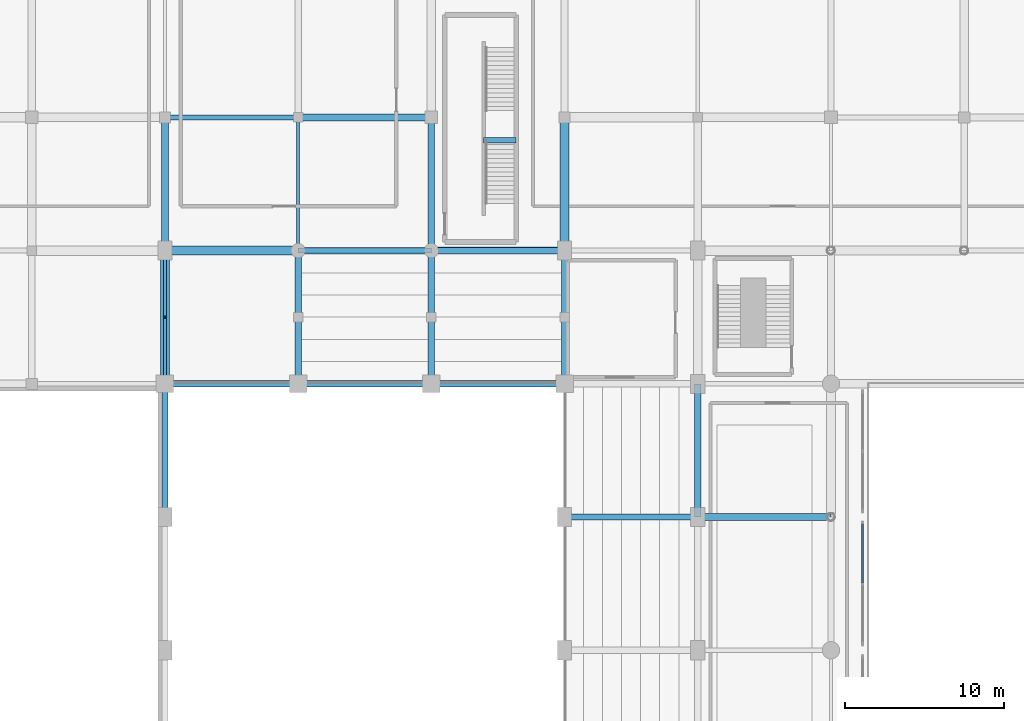
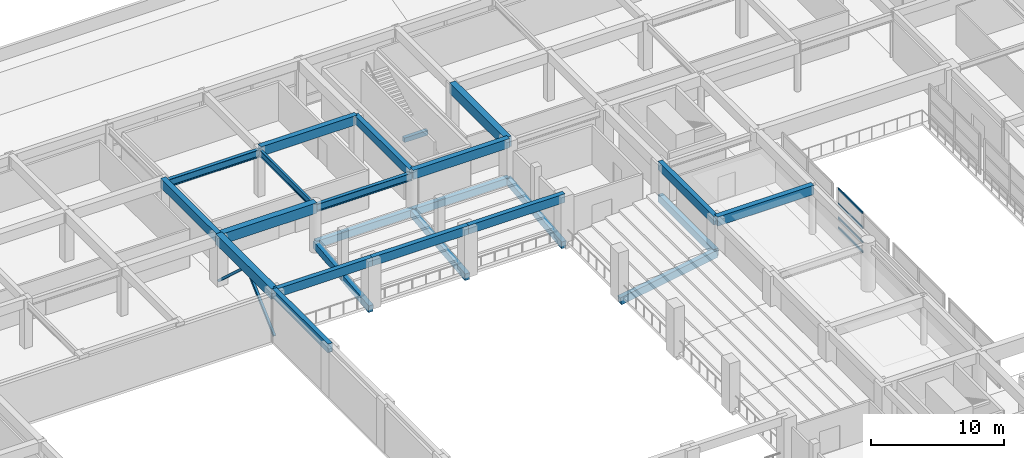
# One storey, part 24 of 60: 27 beams, 6 members, 1 element without a shape of its own.
"""IFC4 building model written with IfcOpenShell, lengths in metres."""

from ifc_helpers import new_model, si_unit, direction, frame, origin, origin_2d, place, context, subcontext, project, spatial, rectangle, hollow_rectangle, i_section, extrude, material, material_profile, profile_set, type_object, element, aggregate, save


model = new_model("IFC4")

# Units and contexts
model_context = context("Model", 3, precision=1e-05, world=origin(), true_north=direction((0.0, 1.0)))
body_context = subcontext(model_context, "Body", "Model", "MODEL_VIEW")
ifc_project = project(units=[si_unit("LENGTHUNIT", "METRE"), si_unit("AREAUNIT", "SQUARE_METRE"), si_unit("VOLUMEUNIT", "CUBIC_METRE"), si_unit("PLANEANGLEUNIT", "RADIAN"), si_unit("MASSUNIT", "GRAM", prefix="KILO")], contexts=[model_context])

# Site, building, storey
site_placement = place(None, origin())
site = spatial("IfcSite", under=ifc_project, at=site_placement, CompositionType="ELEMENT")
building_placement = place(site_placement, origin())
building = spatial("IfcBuilding", under=site, at=building_placement, Name="Xuanlan Plaza Opera House", CompositionType="ELEMENT")
storey_placement = place(building_placement, frame((0.0, 0.0, 9.89990234375)))
storey = spatial("IfcBuildingStorey", under=building, at=storey_placement, Name="L02", CompositionType="ELEMENT", Elevation=9.89990234375)

# Curtain wall, members
ifc_material_1 = material(Name="Anodised Aluminium 6063-T6 and Low-E Glass", Category="aluminium")
curtain_wall_type = type_object("IfcCurtainWallType", Name="ENV-CW-CW-06", PredefinedType="USERDEFINED", material=ifc_material_1)
curtain_wall_placement = place(storey_placement, origin())
curtain_wall = element("IfcCurtainWall", 1, at=curtain_wall_placement, inside=storey, type_object=curtain_wall_type, Name="Acoustic Glazed Wall ATR-L02-13", ObjectType="ACOUSTIC GLAZED WALL", PredefinedType="USERDEFINED")
ifc_material_2 = material(Name="Anodised Aluminium 6063-T6", Category="aluminium")
ifc_material_profile_1 = material_profile(ifc_material_2, rectangle(XDim=0.090087890625, YDim=0.179931640625, at=origin_2d()), Name="ALU-T 90x180")
ifc_profile_set_1 = profile_set([ifc_material_profile_1], Name="Anodised Aluminium 6063-T6")
member_type_1 = type_object("IfcMemberType", Name="ENV-CWT-05", PredefinedType="USERDEFINED", material=ifc_profile_set_1)
member_1_placement = place(storey_placement, frame((111.199951171875, 63.044921875, 0.045166015625), z_axis=(0.0, 1.0, 0.0), x_axis=(-1.0, 0.0, 0.0)))
member_1 = element("IfcMember", 2, at=member_1_placement, type_object=member_type_1, Name="CW-06 transom 2.1", ObjectType="TRANSOM", PredefinedType="USERDEFINED", context=body_context, shape_type="SweptSolid", body=[
    extrude(rectangle(XDim=0.090087890625, YDim=0.179931640625, at=origin_2d()), origin(), (0.0, 0.0, 1.0), 3.715087890625),
])
member_2_placement = place(storey_placement, frame((111.199951171875, 63.044921875, 0.9501953125), z_axis=(0.0, 1.0, 0.0), x_axis=(-1.0, 0.0, 0.0)))
member_2 = element("IfcMember", 3, at=member_2_placement, type_object=member_type_1, Name="CW-06 transom 2.2", ObjectType="TRANSOM", PredefinedType="USERDEFINED", context=body_context, shape_type="SweptSolid", body=[
    extrude(rectangle(XDim=0.090087890625, YDim=0.179931640625, at=origin_2d()), origin(), (0.0, 0.0, 1.0), 3.715087890625),
])
member_3_placement = place(storey_placement, frame((111.199951171875, 63.044921875, 2.25), z_axis=(0.0, 1.0, 0.0), x_axis=(-1.0, 0.0, 0.0)))
member_3 = element("IfcMember", 4, at=member_3_placement, type_object=member_type_1, Name="CW-06 transom 2.3", ObjectType="TRANSOM", PredefinedType="USERDEFINED", context=body_context, shape_type="SweptSolid", body=[
    extrude(rectangle(XDim=0.090087890625, YDim=0.179931640625, at=origin_2d()), origin(), (0.0, 0.0, 1.0), 3.715087890625),
])
member_4_placement = place(storey_placement, frame((111.199951171875, 63.044921875, 3.635009765625), z_axis=(0.0, 1.0, 0.0), x_axis=(-1.0, 0.0, 0.0)))
member_4 = element("IfcMember", 5, at=member_4_placement, type_object=member_type_1, Name="CW-06 transom 2.4", ObjectType="TRANSOM", PredefinedType="USERDEFINED", context=body_context, shape_type="SweptSolid", body=[
    extrude(rectangle(XDim=0.090087890625, YDim=0.179931640625, at=origin_2d()), origin(), (0.0, 0.0, 1.0), 3.715087890625),
])
aggregate(curtain_wall, [member_1, member_2, member_3, member_4])

# Beams
ifc_material_3 = material(Name="Concrete C50", Category="concrete")
ifc_material_profile_2 = material_profile(ifc_material_3, rectangle(XDim=0.550048828125, YDim=0.949951171875, at=origin_2d()), Name="RC-BM 550x950")
ifc_profile_set_2 = profile_set([ifc_material_profile_2], Name="Concrete C50")
beam_type_1 = type_object("IfcBeamType", Name="STR-BM-B-02", PredefinedType="BEAM", material=ifc_profile_set_2)
beam_1_placement = place(storey_placement, frame((67.199951171875, 84.0, 4.025146484375), z_axis=(1.0, 0.0, 0.0), x_axis=(0.0, 1.0, 0.0)))
element("IfcBeam", 6, at=beam_1_placement, inside=storey, type_object=beam_type_1, Name="Grid Beam X L02 9-10/K", PredefinedType="BEAM", context=body_context, shape_type="SweptSolid", body=[
    extrude(rectangle(XDim=0.550048828125, YDim=0.949951171875, at=origin_2d()), origin(), (0.0, 0.0, 1.0), 8.400146484375),
])
for number, where, z_axis, x_axis, name in (
    (7, (67.199951171875, 75.60009765625, 4.025146484375), (0.0, 1.0, 0.0), (-1.0, 0.0, 0.0), "Grid Beam Y L02 9/J-K"),
    (8, (92.39990234375, 84.0, 4.025146484375), (0.0, 1.0, 0.0), (-1.0, 0.0, 0.0), "Grid Beam Y L02 12/K-L"),
):
    element("IfcBeam", number, at=place(storey_placement, frame(where, z_axis=z_axis, x_axis=x_axis)), inside=storey, type_object=beam_type_1, Name=name, PredefinedType="BEAM", context=body_context, shape_type="SweptSolid", body=[
        extrude(rectangle(XDim=0.550048828125, YDim=0.949951171875, at=origin_2d()), origin(), (0.0, 0.0, 1.0), 8.39990234375),
    ])
ifc_material_4 = material(Name="Concrete C40", Category="concrete")
ifc_material_profile_3 = material_profile(ifc_material_4, rectangle(XDim=0.449951171875, YDim=0.85009765625, at=origin_2d()), Name="RC-BM 450x850")
ifc_profile_set_3 = profile_set([ifc_material_profile_3], Name="Concrete C40")
beam_type_2 = type_object("IfcBeamType", Name="STR-BM-B-04", PredefinedType="BEAM", material=ifc_profile_set_3)
for number, where, z_axis, x_axis, name in (
    (9, (100.800048828125, 67.199951171875, 4.0751953125), (1.0, 0.0, 0.0), (0.0, 1.0, 0.0), "Grid Beam X L02 13-14/I"),
    (10, (84.0, 84.0, 4.0751953125), (1.0, 0.0, 0.0), (0.0, 1.0, 0.0), "Grid Beam X L02 11-12/K"),
    (11, (75.60009765625, 92.39990234375, 4.0751953125), (1.0, 0.0, 0.0), (0.0, 1.0, 0.0), "Grid Beam X L02 10-11/L"),
    (12, (67.199951171875, 84.0, 4.0751953125), (0.0, 1.0, 0.0), (-1.0, 0.0, 0.0), "Grid Beam Y L02 9/K-L"),
):
    element("IfcBeam", number, at=place(storey_placement, frame(where, z_axis=z_axis, x_axis=x_axis)), inside=storey, type_object=beam_type_2, Name=name, PredefinedType="BEAM", context=body_context, shape_type="SweptSolid", body=[
        extrude(rectangle(XDim=0.449951171875, YDim=0.85009765625, at=origin_2d()), origin(), (0.0, 0.0, 1.0), 8.39990234375),
    ])
ifc_material_profile_4 = material_profile(ifc_material_4, rectangle(XDim=0.39990234375, YDim=0.75, at=origin_2d()), Name="RC-BM 400x750")
ifc_profile_set_4 = profile_set([ifc_material_profile_4], Name="Concrete C40")
beam_type_3 = type_object("IfcBeamType", Name="STR-BM-B-06", PredefinedType="BEAM", material=ifc_profile_set_4)
beam_2_placement = place(storey_placement, frame((84.0, 84.0, 4.125), z_axis=(0.0, 1.0, 0.0), x_axis=(-1.0, 0.0, 0.0)))
element("IfcBeam", 13, at=beam_2_placement, inside=storey, type_object=beam_type_3, Name="Grid Beam Y L02 11/K-L", PredefinedType="BEAM", context=body_context, shape_type="SweptSolid", body=[
    extrude(rectangle(XDim=0.39990234375, YDim=0.75, at=origin_2d()), origin(), (0.0, 0.0, 1.0), 8.39990234375),
])
ifc_material_profile_5 = material_profile(ifc_material_4, rectangle(XDim=0.320068359375, YDim=0.419921875, at=origin_2d()), Name="RC-LNT 320x420")
ifc_profile_set_5 = profile_set([ifc_material_profile_5], Name="Concrete C40")
beam_type_4 = type_object("IfcBeamType", Name="STR-BM-LN-04", PredefinedType="LINTEL", material=ifc_profile_set_5)
beam_3_placement = place(storey_placement, frame((87.300048828125, 90.9599609375, 1.840087890625), z_axis=(1.0, 0.0, 0.0), x_axis=(0.0, 1.0, 0.0)))
element("IfcBeam", 14, at=beam_3_placement, inside=storey, type_object=beam_type_4, Name="Stair Mid-Landing Trimmer Beam ST-P4 L02", PredefinedType="LINTEL", context=body_context, shape_type="SweptSolid", body=[
    extrude(rectangle(XDim=0.320068359375, YDim=0.419921875, at=origin_2d()), origin(), (0.0, 0.0, 1.0), 2.050048828125),
])
ifc_material_profile_6 = material_profile(ifc_material_4, rectangle(XDim=0.39990234375, YDim=0.679931640625, at=origin_2d()), Name="RC-RKR 400x680")
ifc_profile_set_6 = profile_set([ifc_material_profile_6], Name="Concrete C40")
beam_type_5 = type_object("IfcBeamType", Name="STR-BM-RK-02", PredefinedType="BEAM", material=ifc_profile_set_6)
beam_4_placement = place(storey_placement, frame((92.39990234375, 67.199951171875, -0.33984375), z_axis=(0.985623890385, 0.0, 0.168954273999), x_axis=(0.0, 1.0, 0.0)))
element("IfcBeam", 15, at=beam_4_placement, inside=storey, type_object=beam_type_5, Name="Auditorium Tier Raker Beam L02 Y67", PredefinedType="BEAM", context=body_context, shape_type="SweptSolid", body=[
    extrude(rectangle(XDim=0.39990234375, YDim=0.679931640625, at=origin_2d()), origin(), (0.0, 0.0, 1.0), 8.522705078125),
])
ifc_material_profile_7 = material_profile(ifc_material_4, rectangle(XDim=0.39990234375, YDim=0.659912109375, at=origin_2d()), Name="RC-RKR 400x660")
ifc_profile_set_7 = profile_set([ifc_material_profile_7], Name="Concrete C40")
beam_type_6 = type_object("IfcBeamType", Name="STR-BM-RK-03", PredefinedType="BEAM", material=ifc_profile_set_7)
for number, where, z_axis, x_axis, name in (
    (16, (75.60009765625, 84.0, 0.570068359375), (1.0, 0.0, 0.0), (0.0, 1.0, 0.0), "Side Vineyard Tier Header Beam L02 North 1"),
    (17, (84.0, 84.0, 0.570068359375), (1.0, 0.0, 0.0), (0.0, 1.0, 0.0), "Side Vineyard Tier Header Beam L02 North 2"),
):
    element("IfcBeam", number, at=place(storey_placement, frame(where, z_axis=z_axis, x_axis=x_axis)), inside=storey, type_object=beam_type_6, Name=name, PredefinedType="BEAM", context=body_context, shape_type="SweptSolid", body=[
        extrude(rectangle(XDim=0.39990234375, YDim=0.659912109375, at=origin_2d()), origin(), (0.0, 0.0, 1.0), 8.39990234375),
    ])
ifc_material_profile_8 = material_profile(ifc_material_4, rectangle(XDim=0.39990234375, YDim=0.659912109375, at=origin_2d()), Name="RC-RKR 400x660")
ifc_profile_set_8 = profile_set([ifc_material_profile_8], Name="Concrete C40")
beam_type_7 = type_object("IfcBeamType", Name="STR-BM-RK-04", PredefinedType="BEAM", material=ifc_profile_set_8)
for number, where, z_axis, x_axis, name in (
    (18, (75.60009765625, 75.60009765625, -0.329833984375), (0.0, 0.994310247159, 0.106522919579), (-1.0, 0.0, 0.0), "Side Vineyard Tier Raker L02 North X75A"),
    (19, (75.60009765625, 79.800048828125, 0.1201171875), (0.0, 0.994310247159, 0.106522919579), (-1.0, 0.0, 0.0), "Side Vineyard Tier Raker L02 North X75B"),
    (20, (84.0, 75.60009765625, -0.329833984375), (0.0, 0.994310247159, 0.106522919579), (-1.0, 0.0, 0.0), "Side Vineyard Tier Raker L02 North X84A"),
    (21, (84.0, 79.800048828125, 0.1201171875), (0.0, 0.994310247159, 0.106522919579), (-1.0, 0.0, 0.0), "Side Vineyard Tier Raker L02 North X84B"),
    (22, (92.39990234375, 75.60009765625, -0.329833984375), (0.0, 0.994310247159, 0.106522919579), (-1.0, 0.0, 0.0), "Side Vineyard Tier Raker L02 North X92A"),
    (23, (92.39990234375, 79.800048828125, 0.1201171875), (0.0, 0.994310247159, 0.106522919579), (-1.0, 0.0, 0.0), "Side Vineyard Tier Raker L02 North X92B"),
):
    element("IfcBeam", number, at=place(storey_placement, frame(where, z_axis=z_axis, x_axis=x_axis)), inside=storey, type_object=beam_type_7, Name=name, PredefinedType="BEAM", context=body_context, shape_type="SweptSolid", body=[
        extrude(rectangle(XDim=0.39990234375, YDim=0.659912109375, at=origin_2d()), origin(), (0.0, 0.0, 1.0), 4.223876953125),
    ])
ifc_material_profile_9 = material_profile(ifc_material_4, rectangle(XDim=0.39990234375, YDim=0.679931640625, at=origin_2d()), Name="RC-RKR 400x680")
ifc_profile_set_9 = profile_set([ifc_material_profile_9], Name="Concrete C40")
beam_type_8 = type_object("IfcBeamType", Name="STR-BM-RKH-02", PredefinedType="BEAM", material=ifc_profile_set_9)
beam_5_placement = place(storey_placement, frame((100.800048828125, 67.199951171875, 1.10009765625), z_axis=(0.0, 1.0, 0.0), x_axis=(-1.0, 0.0, 0.0)))
element("IfcBeam", 24, at=beam_5_placement, inside=storey, type_object=beam_type_8, Name="Auditorium Tier Header Beam L02-4", PredefinedType="BEAM", context=body_context, shape_type="SweptSolid", body=[
    extrude(rectangle(XDim=0.39990234375, YDim=0.679931640625, at=origin_2d()), origin(), (0.0, 0.0, 1.0), 8.400146484375),
])
ifc_material_5 = material(Name="Steel Q355B", Category="steel")
ifc_material_profile_10 = material_profile(ifc_material_5, i_section(OverallWidth=0.300048828125, OverallDepth=0.699951171875, WebThickness=0.012939453125, FlangeThickness=0.02392578125, FilletRadius=0.02392578125, at=origin_2d()), Name="HN 700x300x13x24")
ifc_profile_set_10 = profile_set([ifc_material_profile_10], Name="Steel Q355B")
beam_type_9 = type_object("IfcBeamType", Name="STR-BM-SB-03", PredefinedType="BEAM", material=ifc_profile_set_10)
beam_6_placement = place(storey_placement, frame((75.60009765625, 84.0, 3.885009765625), z_axis=(1.0, 0.0, 0.0), x_axis=(0.0, 1.0, 0.0)))
element("IfcBeam", 25, at=beam_6_placement, inside=storey, type_object=beam_type_9, Name="Grid Beam X L02 10-11/K", PredefinedType="BEAM", context=body_context, shape_type="SweptSolid", body=[
    extrude(i_section(OverallWidth=0.300048828125, OverallDepth=0.699951171875, WebThickness=0.012939453125, FlangeThickness=0.02392578125, FilletRadius=0.02392578125, at=origin_2d()), origin(), (0.0, 0.0, 1.0), 8.39990234375),
])
beam_7_placement = place(storey_placement, frame((67.199951171875, 92.39990234375, 3.885009765625), z_axis=(1.0, 0.0, 0.0), x_axis=(0.0, 1.0, 0.0)))
element("IfcBeam", 26, at=beam_7_placement, inside=storey, type_object=beam_type_9, Name="Grid Beam X L02 9-10/L", PredefinedType="BEAM", context=body_context, shape_type="SweptSolid", body=[
    extrude(i_section(OverallWidth=0.300048828125, OverallDepth=0.699951171875, WebThickness=0.012939453125, FlangeThickness=0.02392578125, FilletRadius=0.02392578125, at=origin_2d()), origin(), (0.0, 0.0, 1.0), 8.400146484375),
])
ifc_material_profile_11 = material_profile(ifc_material_5, i_section(OverallWidth=0.199951171875, OverallDepth=0.60009765625, WebThickness=0.010986328125, FlangeThickness=0.01708984375, FilletRadius=0.02197265625, at=origin_2d()), Name="HN 600x200x11x17")
ifc_profile_set_11 = profile_set([ifc_material_profile_11], Name="Steel Q355B")
beam_type_10 = type_object("IfcBeamType", Name="STR-BM-SB-04", PredefinedType="BEAM", material=ifc_profile_set_11)
beam_8_placement = place(storey_placement, frame((75.60009765625, 84.0, 3.93505859375), z_axis=(0.0, 1.0, 0.0), x_axis=(-1.0, 0.0, 0.0)))
element("IfcBeam", 27, at=beam_8_placement, inside=storey, type_object=beam_type_10, Name="Grid Beam Y L02 10/K-L", PredefinedType="BEAM", context=body_context, shape_type="SweptSolid", body=[
    extrude(i_section(OverallWidth=0.199951171875, OverallDepth=0.60009765625, WebThickness=0.010986328125, FlangeThickness=0.01708984375, FilletRadius=0.02197265625, at=origin_2d()), origin(), (0.0, 0.0, 1.0), 8.39990234375),
])
ifc_material_profile_12 = material_profile(ifc_material_4, rectangle(XDim=0.39990234375, YDim=0.800048828125, at=origin_2d()), Name="RC-SPD 400x800")
ifc_profile_set_12 = profile_set([ifc_material_profile_12], Name="Concrete C40")
beam_type_11 = type_object("IfcBeamType", Name="STR-BM-SP-01", PredefinedType="SPANDREL", material=ifc_profile_set_12)
beam_9_placement = place(storey_placement, frame((67.199951171875, 75.60009765625, 4.10009765625), z_axis=(1.0, 0.0, 0.0), x_axis=(0.0, 1.0, 0.0)))
element("IfcBeam", 28, at=beam_9_placement, inside=storey, type_object=beam_type_11, Name="Grid Beam X L02 9-10/J", PredefinedType="SPANDREL", context=body_context, shape_type="SweptSolid", body=[
    extrude(rectangle(XDim=0.39990234375, YDim=0.800048828125, at=origin_2d()), origin(), (0.0, 0.0, 1.0), 8.400146484375),
])
for number, where, z_axis, x_axis, name in (
    (29, (75.60009765625, 75.60009765625, 4.10009765625), (1.0, 0.0, 0.0), (0.0, 1.0, 0.0), "Grid Beam X L02 10-11/J"),
    (30, (84.0, 75.60009765625, 4.10009765625), (1.0, 0.0, 0.0), (0.0, 1.0, 0.0), "Grid Beam X L02 11-12/J"),
):
    element("IfcBeam", number, at=place(storey_placement, frame(where, z_axis=z_axis, x_axis=x_axis)), inside=storey, type_object=beam_type_11, Name=name, PredefinedType="SPANDREL", context=body_context, shape_type="SweptSolid", body=[
        extrude(rectangle(XDim=0.39990234375, YDim=0.800048828125, at=origin_2d()), origin(), (0.0, 0.0, 1.0), 8.39990234375),
    ])
for number, where, z_axis, x_axis, name in (
    (31, (67.199951171875, 67.199951171875, 4.10009765625), (0.0, 1.0, 0.0), (-1.0, 0.0, 0.0), "Grid Beam Y L02 9/I-J"),
    (32, (100.800048828125, 67.199951171875, 4.10009765625), (0.0, 1.0, 0.0), (-1.0, 0.0, 0.0), "Grid Beam Y L02 13/I-J"),
):
    element("IfcBeam", number, at=place(storey_placement, frame(where, z_axis=z_axis, x_axis=x_axis)), inside=storey, type_object=beam_type_11, Name=name, PredefinedType="SPANDREL", context=body_context, shape_type="SweptSolid", body=[
        extrude(rectangle(XDim=0.39990234375, YDim=0.800048828125, at=origin_2d()), origin(), (0.0, 0.0, 1.0), 8.400146484375),
    ])

# Members
ifc_material_profile_13 = material_profile(ifc_material_5, hollow_rectangle(XDim=0.199951171875, YDim=0.199951171875, WallThickness=0.010009765625, at=origin_2d()), Name="SHS 200x200x10")
ifc_profile_set_13 = profile_set([ifc_material_profile_13], Name="Steel Q355B")
member_type_2 = type_object("IfcMemberType", Name="STR-MEM-BR-07", PredefinedType="BRACE", material=ifc_profile_set_13)
for number, where, z_axis, x_axis, name in (
    (33, (67.199951171875, 75.60009765625, 0.10009765625), (0.0, 0.737141689437, 0.675738210918), (-1.0, 0.0, 0.0), "Stage Lateral Chevron Brace L02-3A"),
    (34, (67.199951171875, 84.0, 0.10009765625), (0.0, -0.737141689437, 0.675738210918), (1.0, 0.0, 0.0), "Stage Lateral Chevron Brace L02-3B"),
):
    element("IfcMember", number, at=place(storey_placement, frame(where, z_axis=z_axis, x_axis=x_axis)), inside=storey, type_object=member_type_2, Name=name, PredefinedType="BRACE", context=body_context, shape_type="SweptSolid", body=[
        extrude(hollow_rectangle(XDim=0.199951171875, YDim=0.199951171875, WallThickness=0.010009765625, at=origin_2d()), origin(), (0.0, 0.0, 1.0), 5.697509765625),
    ])

save(model, "model.ifc")
